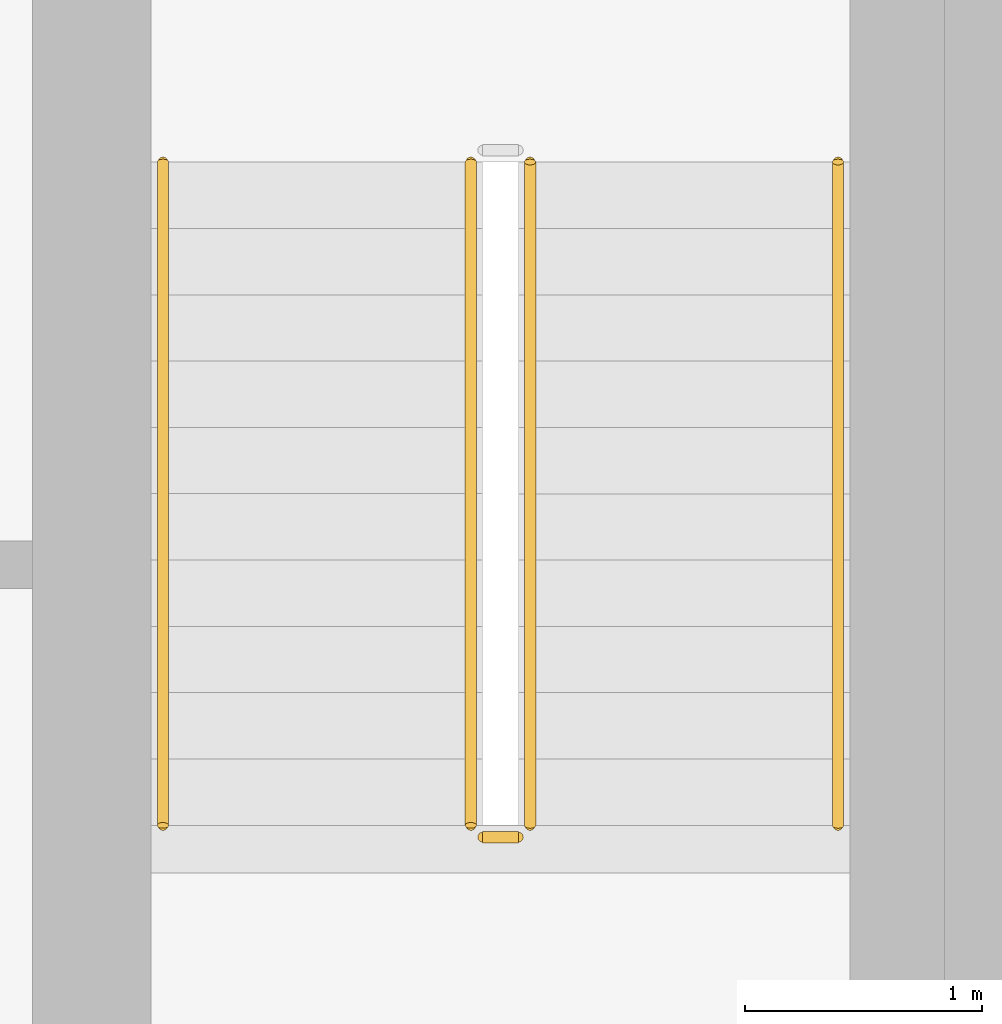
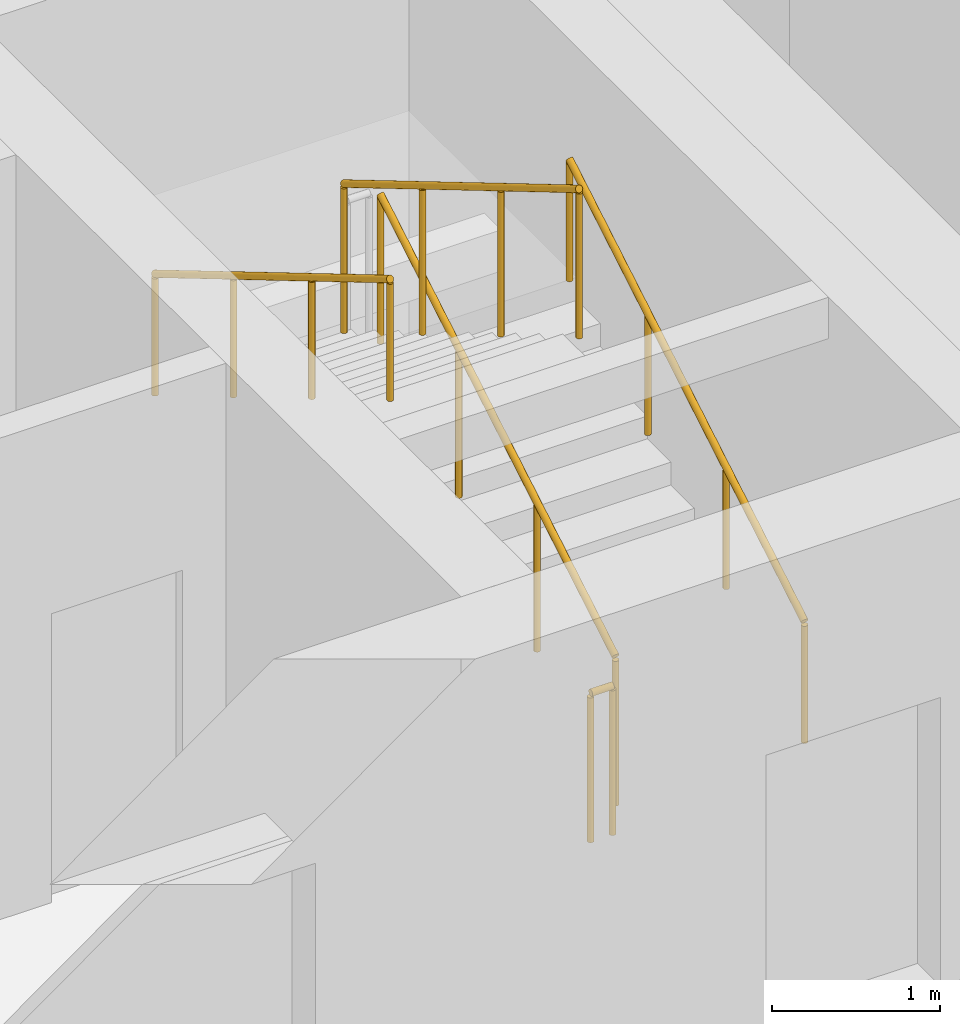
# One storey, part 13 of 18: 5 railings.
"""IFC4 building model written with IfcOpenShell, lengths in metres."""

from ifc_helpers import new_model, si_unit, direction, frame, origin, origin_2d, place, context, subcontext, project, spatial, circle, extrude, material, type_object, element, save


model = new_model("IFC4")

# Units and contexts
model_context = context("Model", 3, precision=1e-05, world=origin(), true_north=direction((0.0, 1.0)))
body_context = subcontext(model_context, "Body", "Model", "MODEL_VIEW")
ifc_project = project(units=[si_unit("LENGTHUNIT", "METRE"), si_unit("AREAUNIT", "SQUARE_METRE"), si_unit("VOLUMEUNIT", "CUBIC_METRE"), si_unit("PLANEANGLEUNIT", "RADIAN"), si_unit("MASSUNIT", "GRAM", prefix="KILO")], contexts=[model_context])

# Site, building, storey
site_placement = place(None, origin())
site = spatial("IfcSite", under=ifc_project, at=site_placement, CompositionType="ELEMENT")
building_placement = place(site_placement, origin())
building = spatial("IfcBuilding", under=site, at=building_placement, Name="Isthmus Gate Tower", CompositionType="ELEMENT")
storey_placement = place(building_placement, frame((0.0, 0.0, 238.199951171875)))
storey = spatial("IfcBuildingStorey", under=building, at=storey_placement, Name="L60", CompositionType="ELEMENT", Elevation=238.199951171875)

# Railings
ifc_material_1 = material(Name="Stainless steel balustrade", Category="steel")
railing_type_1 = type_object("IfcRailingType", Name="STAIR GUARD 1100", PredefinedType="GUARDRAIL", material=ifc_material_1)
railing_1_placement = place(storey_placement, frame((12.64990234375, 2.39990234375, 0.166015625)))
element("IfcRailing", 1, at=railing_1_placement, inside=storey, type_object=railing_type_1, Name="L60 ST8 stair guard 1", PredefinedType="GUARDRAIL", context=body_context, shape_type="SweptSolid", body=[
    extrude(circle(Radius=0.02392578125, at=origin_2d()), frame((0.0, 0.0, 1.076171875), z_axis=(0.0, 0.860339051648, 0.50972219513), x_axis=(-1.0, 0.0, 0.0)), (0.0, 0.0, 1.0), 3.254638671875),
    extrude(circle(Radius=0.02099609375, at=origin_2d()), origin(), (0.0, 0.0, 1.0), 1.052001953125),
    extrude(circle(Radius=0.02099609375, at=origin_2d()), frame((0.0, 0.933349609375, 0.552978515625)), (0.0, 0.0, 1.0), 1.052001953125),
    extrude(circle(Radius=0.02099609375, at=origin_2d()), frame((0.0, 1.86669921875, 1.10595703125)), (0.0, 0.0, 1.0), 1.052001953125),
    extrude(circle(Radius=0.02099609375, at=origin_2d()), frame((0.0, 2.800048828125, 1.658935546875)), (0.0, 0.0, 1.0), 1.052001953125),
])
railing_2_placement = place(storey_placement, frame((12.39990234375, 5.199951171875, 1.990966796875)))
element("IfcRailing", 2, at=railing_2_placement, inside=storey, type_object=railing_type_1, Name="L60 ST8 stair guard 3", PredefinedType="GUARDRAIL", context=body_context, shape_type="SweptSolid", body=[
    extrude(circle(Radius=0.02392578125, at=origin_2d()), frame((0.0, 0.0, 1.076171875), z_axis=(0.0, -0.860306154799, 0.50977771628), x_axis=(1.0, 0.0, 0.0)), (0.0, 0.0, 1.0), 3.254638671875),
    extrude(circle(Radius=0.02099609375, at=origin_2d()), origin(), (0.0, 0.0, 1.0), 1.052001953125),
    extrude(circle(Radius=0.02099609375, at=origin_2d()), frame((0.0, -0.933349609375, 0.552978515625)), (0.0, 0.0, 1.0), 1.052001953125),
    extrude(circle(Radius=0.02099609375, at=origin_2d()), frame((0.0, -1.86669921875, 1.106201171875)), (0.0, 0.0, 1.0), 1.052001953125),
    extrude(circle(Radius=0.02099609375, at=origin_2d()), frame((0.0, -2.800048828125, 1.6591796875)), (0.0, 0.0, 1.0), 1.052001953125),
])
railing_3_placement = place(storey_placement, frame((12.60009765625, 2.35009765625, 0.0)))
element("IfcRailing", 3, at=railing_3_placement, inside=storey, type_object=railing_type_1, Name="L60 ST8 stair guard 4", PredefinedType="GUARDRAIL", context=body_context, shape_type="SweptSolid", body=[
    extrude(circle(Radius=0.02392578125, at=origin_2d()), frame((0.0, 0.0, 1.076171875), z_axis=(-1.0, 0.0, 0.0), x_axis=(0.0, -1.0, 0.0)), (0.0, 0.0, 1.0), 0.150146484375),
    extrude(circle(Radius=0.02099609375, at=origin_2d()), origin(), (0.0, 0.0, 1.0), 1.052001953125),
    extrude(circle(Radius=0.02099609375, at=origin_2d()), frame((-0.150146484375, 0.0, 0.0)), (0.0, 0.0, 1.0), 1.052001953125),
])
ifc_material_2 = material(Name="Stainless steel handrail", Category="steel")
railing_type_2 = type_object("IfcRailingType", Name="STAIR HANDRAIL 900", PredefinedType="HANDRAIL", material=ifc_material_2)
railing_4_placement = place(storey_placement, frame((13.949951171875, 2.39990234375, 0.166015625)))
element("IfcRailing", 4, at=railing_4_placement, inside=storey, type_object=railing_type_2, Name="L60 ST8 stair handrail 1", PredefinedType="HANDRAIL", context=body_context, shape_type="SweptSolid", body=[
    extrude(circle(Radius=0.02392578125, at=origin_2d()), frame((0.0, 0.0, 0.8759765625), z_axis=(0.0, 0.860339051648, 0.50972219513), x_axis=(-1.0, 0.0, 0.0)), (0.0, 0.0, 1.0), 3.254638671875),
    extrude(circle(Radius=0.02099609375, at=origin_2d()), origin(), (0.0, 0.0, 1.0), 0.851806640625),
    extrude(circle(Radius=0.02099609375, at=origin_2d()), frame((0.0, 0.933349609375, 0.552978515625)), (0.0, 0.0, 1.0), 0.851806640625),
    extrude(circle(Radius=0.02099609375, at=origin_2d()), frame((0.0, 1.86669921875, 1.10595703125)), (0.0, 0.0, 1.0), 0.851806640625),
    extrude(circle(Radius=0.02099609375, at=origin_2d()), frame((0.0, 2.800048828125, 1.658935546875)), (0.0, 0.0, 1.0), 0.851806640625),
])
railing_5_placement = place(storey_placement, frame((11.10009765625, 5.199951171875, 1.990966796875)))
element("IfcRailing", 5, at=railing_5_placement, inside=storey, type_object=railing_type_2, Name="L60 ST8 stair handrail 2", PredefinedType="HANDRAIL", context=body_context, shape_type="SweptSolid", body=[
    extrude(circle(Radius=0.02392578125, at=origin_2d()), frame((0.0, 0.0, 0.8759765625), z_axis=(0.0, -0.860306154799, 0.50977771628), x_axis=(1.0, 0.0, 0.0)), (0.0, 0.0, 1.0), 3.254638671875),
    extrude(circle(Radius=0.02099609375, at=origin_2d()), origin(), (0.0, 0.0, 1.0), 0.851806640625),
    extrude(circle(Radius=0.02099609375, at=origin_2d()), frame((0.0, -0.933349609375, 0.552978515625)), (0.0, 0.0, 1.0), 0.851806640625),
    extrude(circle(Radius=0.02099609375, at=origin_2d()), frame((0.0, -1.86669921875, 1.106201171875)), (0.0, 0.0, 1.0), 0.851806640625),
    extrude(circle(Radius=0.02099609375, at=origin_2d()), frame((0.0, -2.800048828125, 1.6591796875)), (0.0, 0.0, 1.0), 0.851806640625),
])

save(model, "model.ifc")
